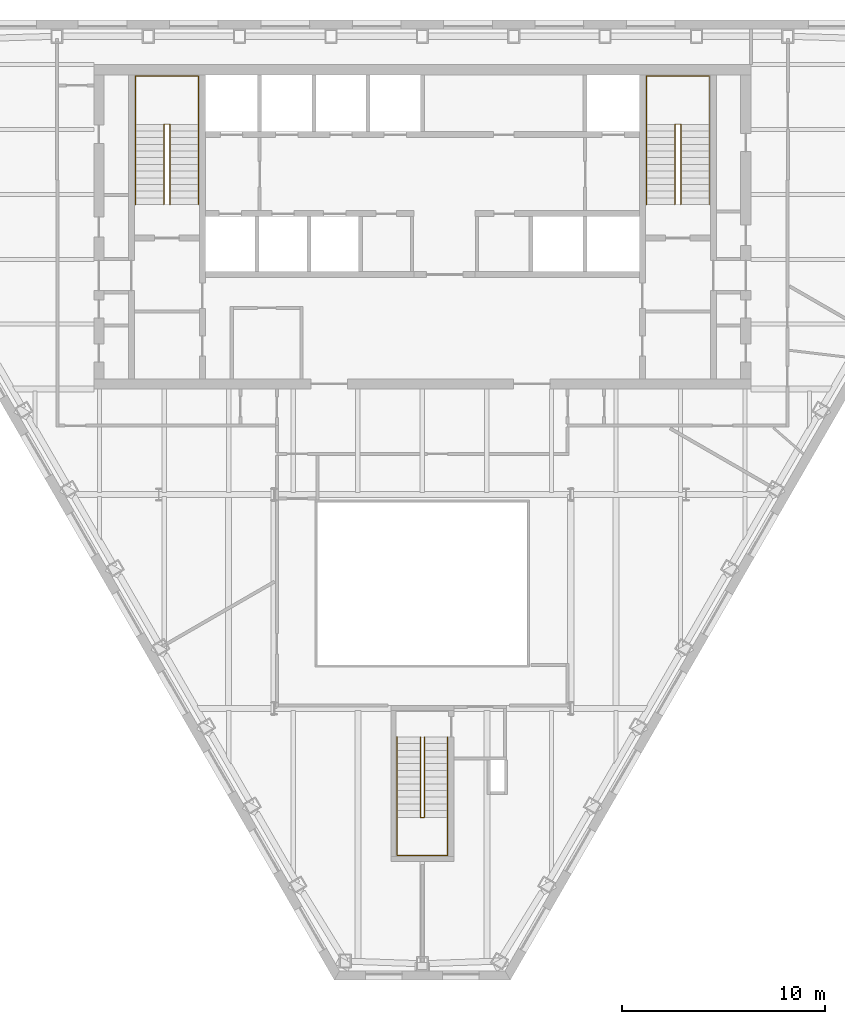
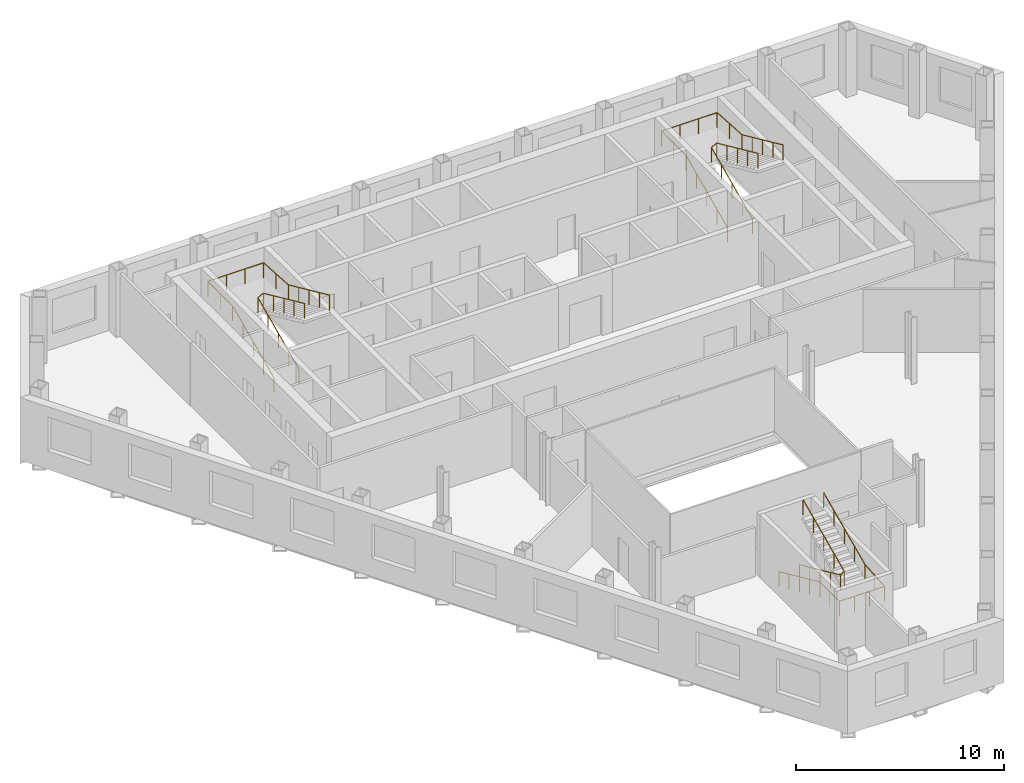
# One storey, part 11 of 11: 6 railings.
"""IFC4 building model written with IfcOpenShell, lengths in metres."""

from ifc_helpers import new_model, si_unit, direction, frame, origin, origin_2d, place, context, subcontext, project, spatial, circle, extrude, material, type_object, element, save


model = new_model("IFC4")

# Units and contexts
model_context = context("Model", 3, precision=1e-05, world=origin(), true_north=direction((0.0, 1.0)))
body_context = subcontext(model_context, "Body", "Model", "MODEL_VIEW")
ifc_project = project(units=[si_unit("LENGTHUNIT", "METRE"), si_unit("AREAUNIT", "SQUARE_METRE"), si_unit("VOLUMEUNIT", "CUBIC_METRE"), si_unit("PLANEANGLEUNIT", "RADIAN"), si_unit("MASSUNIT", "GRAM", prefix="KILO")], contexts=[model_context])

# Site, building, storey
site_placement = place(None, origin())
site = spatial("IfcSite", under=ifc_project, at=site_placement, CompositionType="ELEMENT")
building_placement = place(site_placement, origin())
building = spatial("IfcBuilding", under=site, at=building_placement, Name="Njiva Tower", CompositionType="ELEMENT")
storey_placement = place(building_placement, frame((0.0, 0.0, 151.5)))
storey = spatial("IfcBuildingStorey", under=building, at=storey_placement, Name="L32", CompositionType="ELEMENT", Elevation=151.5)

# Railings
ifc_material = material(Name="Stainless steel", Category="steel")
railing_type = type_object("IfcRailingType", Name="RL1 Stair handrail 900", PredefinedType="HANDRAIL", material=ifc_material)
railing_1_placement = place(storey_placement, frame((-14.15, 11.1, 0.15)))
element("IfcRailing", 1, at=railing_1_placement, inside=storey, type_object=railing_type, Name="Stair A handrail", PredefinedType="HANDRAIL", context=body_context, shape_type="SweptSolid", body=[
    extrude(circle(Radius=0.024, at=origin_2d()), frame((0.0, 0.0, 0.876), z_axis=(0.0, 0.910366477463, 0.413802944301), x_axis=(-1.0, 0.0, 0.0)), (0.0, 0.0, 1.0), 4.3499),
    extrude(circle(Radius=0.024, at=origin_2d()), frame((0.0, 3.96, 2.676), z_axis=(0.0, 1.0, 0.0), x_axis=(-1.0, 0.0, 0.0)), (0.0, 0.0, 1.0), 2.39),
    extrude(circle(Radius=0.024, at=origin_2d()), frame((0.0, 6.35, 2.676), z_axis=(1.0, 0.0, 0.0), x_axis=(0.0, 1.0, 0.0)), (0.0, 0.0, 1.0), 3.1),
    extrude(circle(Radius=0.024, at=origin_2d()), frame((3.1, 6.35, 2.676), z_axis=(0.0, -0.998036296047, 0.062638261258), x_axis=(1.0, 0.0, 0.0)), (0.0, 0.0, 1.0), 2.3947),
    extrude(circle(Radius=0.024, at=origin_2d()), frame((3.1, 3.96, 2.826), z_axis=(0.0, -0.910366477463, 0.413802944301), x_axis=(1.0, 0.0, 0.0)), (0.0, 0.0, 1.0), 4.3499),
    extrude(circle(Radius=0.021, at=origin_2d()), origin(), (0.0, 0.0, 1.0), 0.852),
    extrude(circle(Radius=0.021, at=origin_2d()), frame((0.0, 0.99, 0.45)), (0.0, 0.0, 1.0), 0.852),
    extrude(circle(Radius=0.021, at=origin_2d()), frame((0.0, 1.98, 0.9)), (0.0, 0.0, 1.0), 0.852),
    extrude(circle(Radius=0.021, at=origin_2d()), frame((0.0, 2.97, 1.35)), (0.0, 0.0, 1.0), 0.852),
    extrude(circle(Radius=0.021, at=origin_2d()), frame((0.0, 3.96, 1.8)), (0.0, 0.0, 1.0), 0.852),
    extrude(circle(Radius=0.021, at=origin_2d()), frame((0.0, 5.155, 1.8)), (0.0, 0.0, 1.0), 0.852),
    extrude(circle(Radius=0.021, at=origin_2d()), frame((0.0, 6.35, 1.8)), (0.0, 0.0, 1.0), 0.852),
    extrude(circle(Radius=0.021, at=origin_2d()), frame((1.0333, 6.35, 1.8)), (0.0, 0.0, 1.0), 0.852),
    extrude(circle(Radius=0.021, at=origin_2d()), frame((2.0667, 6.35, 1.8)), (0.0, 0.0, 1.0), 0.852),
    extrude(circle(Radius=0.021, at=origin_2d()), frame((3.1, 6.35, 1.8)), (0.0, 0.0, 1.0), 0.852),
    extrude(circle(Radius=0.021, at=origin_2d()), frame((3.1, 5.155, 1.875)), (0.0, 0.0, 1.0), 0.852),
    extrude(circle(Radius=0.021, at=origin_2d()), frame((3.1, 3.96, 1.95)), (0.0, 0.0, 1.0), 0.852),
    extrude(circle(Radius=0.021, at=origin_2d()), frame((3.1, 2.97, 2.4)), (0.0, 0.0, 1.0), 0.852),
    extrude(circle(Radius=0.021, at=origin_2d()), frame((3.1, 1.98, 2.85)), (0.0, 0.0, 1.0), 0.852),
    extrude(circle(Radius=0.021, at=origin_2d()), frame((3.1, 0.99, 3.3)), (0.0, 0.0, 1.0), 0.852),
    extrude(circle(Radius=0.021, at=origin_2d()), frame((3.1, 0.0, 3.75)), (0.0, 0.0, 1.0), 0.852),
])
railing_2_placement = place(storey_placement, frame((-12.75, 11.1, 0.15)))
element("IfcRailing", 2, at=railing_2_placement, inside=storey, type_object=railing_type, Name="Stair A handrail", PredefinedType="HANDRAIL", context=body_context, shape_type="SweptSolid", body=[
    extrude(circle(Radius=0.024, at=origin_2d()), frame((0.0, 0.0, 0.876), z_axis=(0.0, 0.910366477463, 0.413802944301), x_axis=(-1.0, 0.0, 0.0)), (0.0, 0.0, 1.0), 4.3499),
    extrude(circle(Radius=0.024, at=origin_2d()), frame((0.0, 3.96, 2.676), z_axis=(0.894427191, 0.0, 0.4472135955), x_axis=(0.0, 1.0, 0.0)), (0.0, 0.0, 1.0), 0.3354),
    extrude(circle(Radius=0.024, at=origin_2d()), frame((0.3, 3.96, 2.826), z_axis=(0.0, -0.910366477463, 0.413802944301), x_axis=(1.0, 0.0, 0.0)), (0.0, 0.0, 1.0), 4.3499),
    extrude(circle(Radius=0.021, at=origin_2d()), origin(), (0.0, 0.0, 1.0), 0.852),
    extrude(circle(Radius=0.021, at=origin_2d()), frame((0.0, 0.99, 0.45)), (0.0, 0.0, 1.0), 0.852),
    extrude(circle(Radius=0.021, at=origin_2d()), frame((0.0, 1.98, 0.9)), (0.0, 0.0, 1.0), 0.852),
    extrude(circle(Radius=0.021, at=origin_2d()), frame((0.0, 2.97, 1.35)), (0.0, 0.0, 1.0), 0.852),
    extrude(circle(Radius=0.021, at=origin_2d()), frame((0.0, 3.96, 1.8)), (0.0, 0.0, 1.0), 0.852),
    extrude(circle(Radius=0.021, at=origin_2d()), frame((0.3, 3.96, 1.95)), (0.0, 0.0, 1.0), 0.852),
    extrude(circle(Radius=0.021, at=origin_2d()), frame((0.3, 2.97, 2.4)), (0.0, 0.0, 1.0), 0.852),
    extrude(circle(Radius=0.021, at=origin_2d()), frame((0.3, 1.98, 2.85)), (0.0, 0.0, 1.0), 0.852),
    extrude(circle(Radius=0.021, at=origin_2d()), frame((0.3, 0.99, 3.3)), (0.0, 0.0, 1.0), 0.852),
    extrude(circle(Radius=0.021, at=origin_2d()), frame((0.3, 0.0, 3.75)), (0.0, 0.0, 1.0), 0.852),
])
railing_3_placement = place(storey_placement, frame((11.05, 11.1, 0.15)))
element("IfcRailing", 3, at=railing_3_placement, inside=storey, type_object=railing_type, Name="Stair B handrail", PredefinedType="HANDRAIL", context=body_context, shape_type="SweptSolid", body=[
    extrude(circle(Radius=0.024, at=origin_2d()), frame((0.0, 0.0, 0.876), z_axis=(0.0, 0.910366477463, 0.413802944301), x_axis=(-1.0, 0.0, 0.0)), (0.0, 0.0, 1.0), 4.3499),
    extrude(circle(Radius=0.024, at=origin_2d()), frame((0.0, 3.96, 2.676), z_axis=(0.0, 1.0, 0.0), x_axis=(-1.0, 0.0, 0.0)), (0.0, 0.0, 1.0), 2.39),
    extrude(circle(Radius=0.024, at=origin_2d()), frame((0.0, 6.35, 2.676), z_axis=(1.0, 0.0, 0.0), x_axis=(0.0, 1.0, 0.0)), (0.0, 0.0, 1.0), 3.1),
    extrude(circle(Radius=0.024, at=origin_2d()), frame((3.1, 6.35, 2.676), z_axis=(0.0, -0.998036296047, 0.062638261258), x_axis=(1.0, 0.0, 0.0)), (0.0, 0.0, 1.0), 2.3947),
    extrude(circle(Radius=0.024, at=origin_2d()), frame((3.1, 3.96, 2.826), z_axis=(0.0, -0.910366477463, 0.413802944301), x_axis=(1.0, 0.0, 0.0)), (0.0, 0.0, 1.0), 4.3499),
    extrude(circle(Radius=0.021, at=origin_2d()), origin(), (0.0, 0.0, 1.0), 0.852),
    extrude(circle(Radius=0.021, at=origin_2d()), frame((0.0, 0.99, 0.45)), (0.0, 0.0, 1.0), 0.852),
    extrude(circle(Radius=0.021, at=origin_2d()), frame((0.0, 1.98, 0.9)), (0.0, 0.0, 1.0), 0.852),
    extrude(circle(Radius=0.021, at=origin_2d()), frame((0.0, 2.97, 1.35)), (0.0, 0.0, 1.0), 0.852),
    extrude(circle(Radius=0.021, at=origin_2d()), frame((0.0, 3.96, 1.8)), (0.0, 0.0, 1.0), 0.852),
    extrude(circle(Radius=0.021, at=origin_2d()), frame((0.0, 5.155, 1.8)), (0.0, 0.0, 1.0), 0.852),
    extrude(circle(Radius=0.021, at=origin_2d()), frame((0.0, 6.35, 1.8)), (0.0, 0.0, 1.0), 0.852),
    extrude(circle(Radius=0.021, at=origin_2d()), frame((1.0333, 6.35, 1.8)), (0.0, 0.0, 1.0), 0.852),
    extrude(circle(Radius=0.021, at=origin_2d()), frame((2.0667, 6.35, 1.8)), (0.0, 0.0, 1.0), 0.852),
    extrude(circle(Radius=0.021, at=origin_2d()), frame((3.1, 6.35, 1.8)), (0.0, 0.0, 1.0), 0.852),
    extrude(circle(Radius=0.021, at=origin_2d()), frame((3.1, 5.155, 1.875)), (0.0, 0.0, 1.0), 0.852),
    extrude(circle(Radius=0.021, at=origin_2d()), frame((3.1, 3.96, 1.95)), (0.0, 0.0, 1.0), 0.852),
    extrude(circle(Radius=0.021, at=origin_2d()), frame((3.1, 2.97, 2.4)), (0.0, 0.0, 1.0), 0.852),
    extrude(circle(Radius=0.021, at=origin_2d()), frame((3.1, 1.98, 2.85)), (0.0, 0.0, 1.0), 0.852),
    extrude(circle(Radius=0.021, at=origin_2d()), frame((3.1, 0.99, 3.3)), (0.0, 0.0, 1.0), 0.852),
    extrude(circle(Radius=0.021, at=origin_2d()), frame((3.1, 0.0, 3.75)), (0.0, 0.0, 1.0), 0.852),
])
railing_4_placement = place(storey_placement, frame((12.45, 11.1, 0.15)))
element("IfcRailing", 4, at=railing_4_placement, inside=storey, type_object=railing_type, Name="Stair B handrail", PredefinedType="HANDRAIL", context=body_context, shape_type="SweptSolid", body=[
    extrude(circle(Radius=0.024, at=origin_2d()), frame((0.0, 0.0, 0.876), z_axis=(0.0, 0.910366477463, 0.413802944301), x_axis=(-1.0, 0.0, 0.0)), (0.0, 0.0, 1.0), 4.3499),
    extrude(circle(Radius=0.024, at=origin_2d()), frame((0.0, 3.96, 2.676), z_axis=(0.894427191, 0.0, 0.4472135955), x_axis=(0.0, 1.0, 0.0)), (0.0, 0.0, 1.0), 0.3354),
    extrude(circle(Radius=0.024, at=origin_2d()), frame((0.3, 3.96, 2.826), z_axis=(0.0, -0.910366477463, 0.413802944301), x_axis=(1.0, 0.0, 0.0)), (0.0, 0.0, 1.0), 4.3499),
    extrude(circle(Radius=0.021, at=origin_2d()), origin(), (0.0, 0.0, 1.0), 0.852),
    extrude(circle(Radius=0.021, at=origin_2d()), frame((0.0, 0.99, 0.45)), (0.0, 0.0, 1.0), 0.852),
    extrude(circle(Radius=0.021, at=origin_2d()), frame((0.0, 1.98, 0.9)), (0.0, 0.0, 1.0), 0.852),
    extrude(circle(Radius=0.021, at=origin_2d()), frame((0.0, 2.97, 1.35)), (0.0, 0.0, 1.0), 0.852),
    extrude(circle(Radius=0.021, at=origin_2d()), frame((0.0, 3.96, 1.8)), (0.0, 0.0, 1.0), 0.852),
    extrude(circle(Radius=0.021, at=origin_2d()), frame((0.3, 3.96, 1.95)), (0.0, 0.0, 1.0), 0.852),
    extrude(circle(Radius=0.021, at=origin_2d()), frame((0.3, 2.97, 2.4)), (0.0, 0.0, 1.0), 0.852),
    extrude(circle(Radius=0.021, at=origin_2d()), frame((0.3, 1.98, 2.85)), (0.0, 0.0, 1.0), 0.852),
    extrude(circle(Radius=0.021, at=origin_2d()), frame((0.3, 0.99, 3.3)), (0.0, 0.0, 1.0), 0.852),
    extrude(circle(Radius=0.021, at=origin_2d()), frame((0.3, 0.0, 3.75)), (0.0, 0.0, 1.0), 0.852),
])
railing_5_placement = place(storey_placement, frame((-1.25, -15.16, 0.15)))
element("IfcRailing", 5, at=railing_5_placement, inside=storey, type_object=railing_type, Name="Stair C handrail", PredefinedType="HANDRAIL", context=body_context, shape_type="SweptSolid", body=[
    extrude(circle(Radius=0.024, at=origin_2d()), frame((0.0, 0.0, 0.876), z_axis=(0.0, -0.910366477463, 0.413802944301), x_axis=(1.0, 0.0, 0.0)), (0.0, 0.0, 1.0), 4.3499),
    extrude(circle(Radius=0.024, at=origin_2d()), frame((0.0, -3.96, 2.676), z_axis=(0.0, -1.0, 0.0), x_axis=(1.0, 0.0, 0.0)), (0.0, 0.0, 1.0), 1.88),
    extrude(circle(Radius=0.024, at=origin_2d()), frame((0.0, -5.84, 2.676), z_axis=(1.0, 0.0, 0.0), x_axis=(0.0, 1.0, 0.0)), (0.0, 0.0, 1.0), 2.5),
    extrude(circle(Radius=0.024, at=origin_2d()), frame((2.5, -5.84, 2.676), z_axis=(0.0, 0.996832115713, 0.079534477318), x_axis=(-1.0, 0.0, 0.0)), (0.0, 0.0, 1.0), 1.886),
    extrude(circle(Radius=0.024, at=origin_2d()), frame((2.5, -3.96, 2.826), z_axis=(0.0, 0.910366477463, 0.413802944301), x_axis=(-1.0, 0.0, 0.0)), (0.0, 0.0, 1.0), 4.3499),
    extrude(circle(Radius=0.021, at=origin_2d()), origin(), (0.0, 0.0, 1.0), 0.852),
    extrude(circle(Radius=0.021, at=origin_2d()), frame((0.0, -0.99, 0.45)), (0.0, 0.0, 1.0), 0.852),
    extrude(circle(Radius=0.021, at=origin_2d()), frame((0.0, -1.98, 0.9)), (0.0, 0.0, 1.0), 0.852),
    extrude(circle(Radius=0.021, at=origin_2d()), frame((0.0, -2.97, 1.35)), (0.0, 0.0, 1.0), 0.852),
    extrude(circle(Radius=0.021, at=origin_2d()), frame((0.0, -3.96, 1.8)), (0.0, 0.0, 1.0), 0.852),
    extrude(circle(Radius=0.021, at=origin_2d()), frame((0.0, -4.9, 1.8)), (0.0, 0.0, 1.0), 0.852),
    extrude(circle(Radius=0.021, at=origin_2d()), frame((0.0, -5.84, 1.8)), (0.0, 0.0, 1.0), 0.852),
    extrude(circle(Radius=0.021, at=origin_2d()), frame((0.8333, -5.84, 1.8)), (0.0, 0.0, 1.0), 0.852),
    extrude(circle(Radius=0.021, at=origin_2d()), frame((1.6667, -5.84, 1.8)), (0.0, 0.0, 1.0), 0.852),
    extrude(circle(Radius=0.021, at=origin_2d()), frame((2.5, -5.84, 1.8)), (0.0, 0.0, 1.0), 0.852),
    extrude(circle(Radius=0.021, at=origin_2d()), frame((2.5, -4.9, 1.875)), (0.0, 0.0, 1.0), 0.852),
    extrude(circle(Radius=0.021, at=origin_2d()), frame((2.5, -3.96, 1.95)), (0.0, 0.0, 1.0), 0.852),
    extrude(circle(Radius=0.021, at=origin_2d()), frame((2.5, -2.97, 2.4)), (0.0, 0.0, 1.0), 0.852),
    extrude(circle(Radius=0.021, at=origin_2d()), frame((2.5, -1.98, 2.85)), (0.0, 0.0, 1.0), 0.852),
    extrude(circle(Radius=0.021, at=origin_2d()), frame((2.5, -0.99, 3.3)), (0.0, 0.0, 1.0), 0.852),
    extrude(circle(Radius=0.021, at=origin_2d()), frame((2.5, 0.0, 3.75)), (0.0, 0.0, 1.0), 0.852),
])
railing_6_placement = place(storey_placement, frame((-0.1, -15.16, 0.15)))
element("IfcRailing", 6, at=railing_6_placement, inside=storey, type_object=railing_type, Name="Stair C handrail", PredefinedType="HANDRAIL", context=body_context, shape_type="SweptSolid", body=[
    extrude(circle(Radius=0.024, at=origin_2d()), frame((0.0, 0.0, 0.876), z_axis=(0.0, -0.910366477463, 0.413802944301), x_axis=(1.0, 0.0, 0.0)), (0.0, 0.0, 1.0), 4.3499),
    extrude(circle(Radius=0.024, at=origin_2d()), frame((0.0, -3.96, 2.676), z_axis=(0.8, 0.0, 0.6), x_axis=(0.0, 1.0, 0.0)), (0.0, 0.0, 1.0), 0.25),
    extrude(circle(Radius=0.024, at=origin_2d()), frame((0.2, -3.96, 2.826), z_axis=(0.0, 0.910366477463, 0.413802944301), x_axis=(-1.0, 0.0, 0.0)), (0.0, 0.0, 1.0), 4.3499),
    extrude(circle(Radius=0.021, at=origin_2d()), origin(), (0.0, 0.0, 1.0), 0.852),
    extrude(circle(Radius=0.021, at=origin_2d()), frame((0.0, -0.99, 0.45)), (0.0, 0.0, 1.0), 0.852),
    extrude(circle(Radius=0.021, at=origin_2d()), frame((0.0, -1.98, 0.9)), (0.0, 0.0, 1.0), 0.852),
    extrude(circle(Radius=0.021, at=origin_2d()), frame((0.0, -2.97, 1.35)), (0.0, 0.0, 1.0), 0.852),
    extrude(circle(Radius=0.021, at=origin_2d()), frame((0.0, -3.96, 1.8)), (0.0, 0.0, 1.0), 0.852),
    extrude(circle(Radius=0.021, at=origin_2d()), frame((0.2, -3.96, 1.95)), (0.0, 0.0, 1.0), 0.852),
    extrude(circle(Radius=0.021, at=origin_2d()), frame((0.2, -2.97, 2.4)), (0.0, 0.0, 1.0), 0.852),
    extrude(circle(Radius=0.021, at=origin_2d()), frame((0.2, -1.98, 2.85)), (0.0, 0.0, 1.0), 0.852),
    extrude(circle(Radius=0.021, at=origin_2d()), frame((0.2, -0.99, 3.3)), (0.0, 0.0, 1.0), 0.852),
    extrude(circle(Radius=0.021, at=origin_2d()), frame((0.2, 0.0, 3.75)), (0.0, 0.0, 1.0), 0.852),
])

save(model, "model.ifc")
